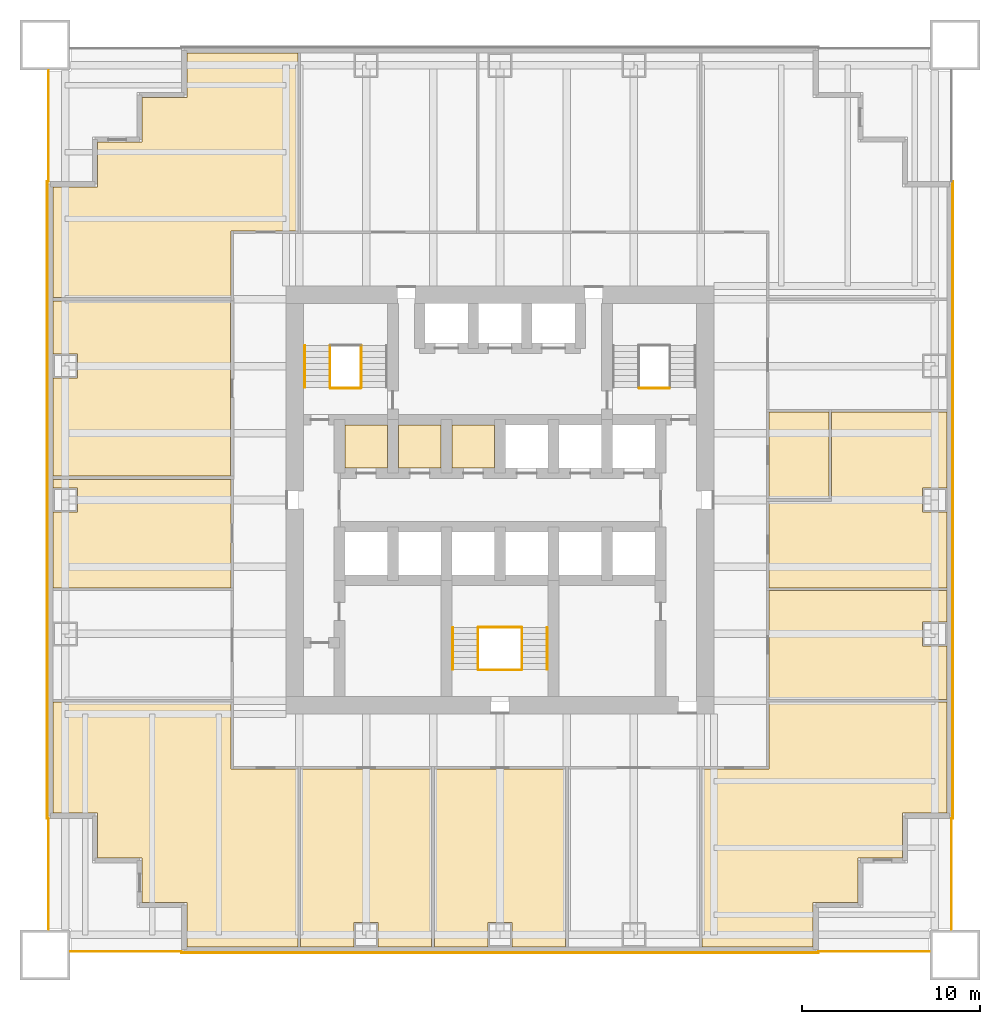
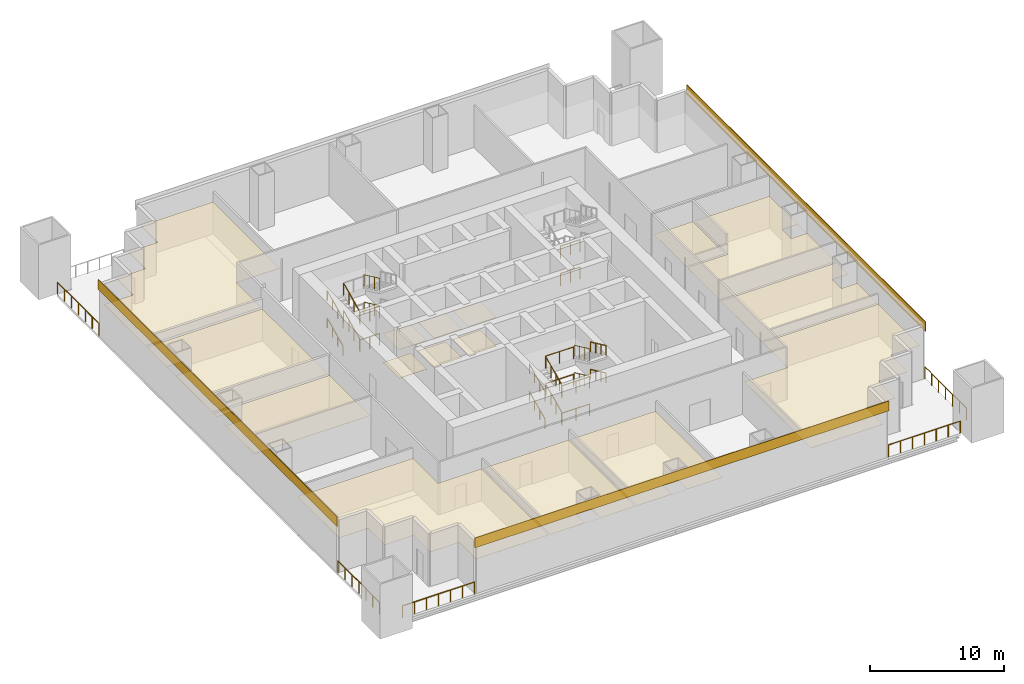
# One storey, part 5 of 6: 27 railings, 19 coverings.
"""IFC4 building model written with IfcOpenShell, lengths in metres."""

from ifc_helpers import new_model, si_unit, direction, frame, origin, origin_2d, place, context, subcontext, project, spatial, polyline, rectangle, circle, outline, extrude, material, layer, layer_set, type_object, element, save


model = new_model("IFC4")

# Units and contexts
model_context = context("Model", 3, precision=1e-05, world=origin(), true_north=direction((0.0, 1.0)))
body_context = subcontext(model_context, "Body", "Model", "MODEL_VIEW")
ifc_project = project(units=[si_unit("LENGTHUNIT", "METRE"), si_unit("AREAUNIT", "SQUARE_METRE"), si_unit("VOLUMEUNIT", "CUBIC_METRE"), si_unit("PLANEANGLEUNIT", "RADIAN"), si_unit("MASSUNIT", "GRAM", prefix="KILO")], contexts=[model_context])

# Site, building, storey
site_placement = place(None, origin())
site = spatial("IfcSite", under=ifc_project, at=site_placement, CompositionType="ELEMENT")
building_placement = place(site_placement, origin())
building = spatial("IfcBuilding", under=site, at=building_placement, Name="Tarangal Relay Tower", CompositionType="ELEMENT")
storey_placement = place(building_placement, frame((0.0, 0.0, 83.39990234375)))
storey = spatial("IfcBuildingStorey", under=building, at=storey_placement, Name="L16", CompositionType="ELEMENT", Elevation=83.39990234375)

# Coverings
ifc_material_1 = material(Name="Anti-static vinyl flooring", Category="plastic")
ifc_layer_1 = layer(ifc_material_1, 0.010009765625)
ifc_layer_set_1 = layer_set([ifc_layer_1], Name="Anti-static vinyl floor")
covering_type_1 = type_object("IfcCoveringType", Name="Anti-static vinyl floor", PredefinedType="FLOORING", material=ifc_layer_set_1)
covering_1_placement = place(storey_placement, origin())
element("IfcCovering", 1, at=covering_1_placement, inside=storey, type_object=covering_type_1, Name="Floor finish FL1 L16-D1", PredefinedType="FLOORING", context=body_context, shape_type="SweptSolid", body=[
    extrude(outline(polyline([(-8.699951171875, 1.800048828125), (-6.300048828125, 1.800048828125), (-6.300048828125, 4.199951171875), (-8.699951171875, 4.199951171875), (-8.699951171875, 1.800048828125)])), origin(), (0.0, 0.0, 1.0), 0.010009765625),
])
covering_2_placement = place(storey_placement, origin())
element("IfcCovering", 2, at=covering_2_placement, inside=storey, type_object=covering_type_1, Name="Floor finish FL1 L16-D2", PredefinedType="FLOORING", context=body_context, shape_type="SweptSolid", body=[
    extrude(outline(polyline([(-5.699951171875, 1.800048828125), (-3.300048828125, 1.800048828125), (-3.300048828125, 4.199951171875), (-5.699951171875, 4.199951171875), (-5.699951171875, 1.800048828125)])), origin(), (0.0, 0.0, 1.0), 0.010009765625),
])
covering_3_placement = place(storey_placement, origin())
element("IfcCovering", 3, at=covering_3_placement, inside=storey, type_object=covering_type_1, Name="Floor finish FL1 L16-D3", PredefinedType="FLOORING", context=body_context, shape_type="SweptSolid", body=[
    extrude(outline(polyline([(-2.699951171875, 1.800048828125), (-0.300048828125, 1.800048828125), (-0.300048828125, 4.199951171875), (-2.699951171875, 4.199951171875), (-2.699951171875, 1.800048828125)])), origin(), (0.0, 0.0, 1.0), 0.010009765625),
])
ifc_material_2 = material(Name="Black anodised aluminium cladding", Category="aluminium")
ifc_layer_2 = layer(ifc_material_2, 0.050048828125)
ifc_layer_set_2 = layer_set([ifc_layer_2], Name="Black metal spandrel band")
covering_type_2 = type_object("IfcCoveringType", Name="Black metal spandrel band", PredefinedType="CLADDING", material=ifc_layer_set_2)
for number, where, z_axis, x_axis, name in (
    (4, (25.375, 0.0, 4.250244140625), (0.0, 0.0, 1.0), (0.0, -1.0, 0.0), "Spandrel band SB1 E L16"),
    (5, (0.0, -25.375, 4.250244140625), (0.0, 0.0, 1.0), (-1.0, 0.0, 0.0), "Spandrel band SB1 S L16"),
    (6, (-25.375, 0.0, 4.250244140625), (0.0, 0.0, 1.0), (0.0, 1.0, 0.0), "Spandrel band SB1 W L16"),
):
    element("IfcCovering", number, at=place(storey_placement, frame(where, z_axis=z_axis, x_axis=x_axis)), inside=storey, type_object=covering_type_2, Name=name, PredefinedType="CLADDING", context=body_context, shape_type="SweptSolid", body=[
        extrude(rectangle(XDim=35.699951171875, YDim=0.050048828125, at=origin_2d()), origin(), (0.0, 0.0, 1.0), 0.89990234375),
    ])

# Railings
ifc_material_3 = material(Name="Steel guard, black finish", Category="steel")
railing_type_1 = type_object("IfcRailingType", Name="Stair guard 1100", PredefinedType="GUARDRAIL", material=ifc_material_3)
railing_1_placement = place(storey_placement, frame((-9.530029296875, 6.300048828125, 0.156494140625)))
element("IfcRailing", 7, at=railing_1_placement, inside=storey, type_object=railing_type_1, Name="Stair ST-A guard GR1 L16 flight 1", PredefinedType="GUARDRAIL", context=body_context, shape_type="SweptSolid", body=[
    extrude(circle(Radius=0.02392578125, at=origin_2d()), frame((0.0, 0.0, 1.076171875), z_axis=(0.0, 0.906303632821, 0.42262717037), x_axis=(-1.0, 0.0, 0.0)), (0.0, 0.0, 1.0), 2.58740234375),
    extrude(circle(Radius=0.02099609375, at=origin_2d()), origin(), (0.0, 0.0, 1.0), 1.052001953125),
    extrude(circle(Radius=0.02099609375, at=origin_2d()), frame((0.0, 0.78173828125, 0.364501953125)), (0.0, 0.0, 1.0), 1.052001953125),
    extrude(circle(Radius=0.02099609375, at=origin_2d()), frame((0.0, 1.563232421875, 0.72900390625)), (0.0, 0.0, 1.0), 1.052001953125),
    extrude(circle(Radius=0.02099609375, at=origin_2d()), frame((0.0, 2.344970703125, 1.093505859375)), (0.0, 0.0, 1.0), 1.052001953125),
])
railing_2_placement = place(storey_placement, frame((-7.77001953125, 8.64501953125, 1.406494140625)))
element("IfcRailing", 8, at=railing_2_placement, inside=storey, type_object=railing_type_1, Name="Stair ST-A guard GR1 L16 flight 2", PredefinedType="GUARDRAIL", context=body_context, shape_type="SweptSolid", body=[
    extrude(circle(Radius=0.02392578125, at=origin_2d()), frame((0.0, 0.0, 1.076171875), z_axis=(0.0, -0.906303632821, 0.42262717037), x_axis=(1.0, 0.0, 0.0)), (0.0, 0.0, 1.0), 2.58740234375),
    extrude(circle(Radius=0.02099609375, at=origin_2d()), origin(), (0.0, 0.0, 1.0), 1.052001953125),
    extrude(circle(Radius=0.02099609375, at=origin_2d()), frame((0.0, -0.78173828125, 0.364501953125)), (0.0, 0.0, 1.0), 1.052001953125),
    extrude(circle(Radius=0.02099609375, at=origin_2d()), frame((0.0, -1.563232421875, 0.72900390625)), (0.0, 0.0, 1.0), 1.052001953125),
    extrude(circle(Radius=0.02099609375, at=origin_2d()), frame((0.0, -2.344970703125, 1.093505859375)), (0.0, 0.0, 1.0), 1.052001953125),
])
railing_3_placement = place(storey_placement, frame((-9.530029296875, 6.300048828125, 2.656494140625)))
element("IfcRailing", 9, at=railing_3_placement, inside=storey, type_object=railing_type_1, Name="Stair ST-A guard GR1 L16 flight 3", PredefinedType="GUARDRAIL", context=body_context, shape_type="SweptSolid", body=[
    extrude(circle(Radius=0.02392578125, at=origin_2d()), frame((0.0, 0.0, 1.076171875), z_axis=(0.0, 0.906303632821, 0.42262717037), x_axis=(-1.0, 0.0, 0.0)), (0.0, 0.0, 1.0), 2.58740234375),
    extrude(circle(Radius=0.02099609375, at=origin_2d()), origin(), (0.0, 0.0, 1.0), 1.052001953125),
    extrude(circle(Radius=0.02099609375, at=origin_2d()), frame((0.0, 0.78173828125, 0.364501953125)), (0.0, 0.0, 1.0), 1.052001953125),
    extrude(circle(Radius=0.02099609375, at=origin_2d()), frame((0.0, 1.563232421875, 0.72900390625)), (0.0, 0.0, 1.0), 1.052001953125),
    extrude(circle(Radius=0.02099609375, at=origin_2d()), frame((0.0, 2.344970703125, 1.093505859375)), (0.0, 0.0, 1.0), 1.052001953125),
])
railing_4_placement = place(storey_placement, frame((-7.77001953125, 8.64501953125, 3.906494140625)))
element("IfcRailing", 10, at=railing_4_placement, inside=storey, type_object=railing_type_1, Name="Stair ST-A guard GR1 L16 flight 4", PredefinedType="GUARDRAIL", context=body_context, shape_type="SweptSolid", body=[
    extrude(circle(Radius=0.02392578125, at=origin_2d()), frame((0.0, 0.0, 1.076171875), z_axis=(0.0, -0.906303632821, 0.42262717037), x_axis=(1.0, 0.0, 0.0)), (0.0, 0.0, 1.0), 2.58740234375),
    extrude(circle(Radius=0.02099609375, at=origin_2d()), origin(), (0.0, 0.0, 1.0), 1.052001953125),
    extrude(circle(Radius=0.02099609375, at=origin_2d()), frame((0.0, -0.78173828125, 0.364501953125)), (0.0, 0.0, 1.0), 1.052001953125),
    extrude(circle(Radius=0.02099609375, at=origin_2d()), frame((0.0, -1.563232421875, 0.72900390625)), (0.0, 0.0, 1.0), 1.052001953125),
    extrude(circle(Radius=0.02099609375, at=origin_2d()), frame((0.0, -2.344970703125, 1.093505859375)), (0.0, 0.0, 1.0), 1.052001953125),
])
for number, where, name in (
    (11, (-9.5, 6.27001953125, 0.0), "Stair ST-A landing guard GR1 L16"),
    (12, (-9.5, 6.27001953125, 2.5), "Stair ST-A landing guard GR1 L16"),
    (13, (7.800048828125, 6.27001953125, 0.0), "Stair ST-B landing guard GR1 L16"),
    (14, (7.800048828125, 6.27001953125, 2.5), "Stair ST-B landing guard GR1 L16"),
):
    element("IfcRailing", number, at=place(storey_placement, frame(where)), inside=storey, type_object=railing_type_1, Name=name, PredefinedType="GUARDRAIL", context=body_context, shape_type="SweptSolid", body=[
        extrude(circle(Radius=0.02392578125, at=origin_2d()), frame((0.0, 0.0, 1.076171875), z_axis=(1.0, 0.0, 0.0), x_axis=(0.0, 1.0, 0.0)), (0.0, 0.0, 1.0), 1.699951171875),
        extrude(circle(Radius=0.02099609375, at=origin_2d()), origin(), (0.0, 0.0, 1.0), 1.052001953125),
        extrude(circle(Radius=0.02099609375, at=origin_2d()), frame((0.85009765625, 0.0, 0.0)), (0.0, 0.0, 1.0), 1.052001953125),
        extrude(circle(Radius=0.02099609375, at=origin_2d()), frame((1.699951171875, 0.0, 0.0)), (0.0, 0.0, 1.0), 1.052001953125),
    ])
railing_5_placement = place(storey_placement, frame((-1.22998046875, -9.5, 0.156494140625)))
element("IfcRailing", 15, at=railing_5_placement, inside=storey, type_object=railing_type_1, Name="Stair ST-C guard GR1 L16 flight 1", PredefinedType="GUARDRAIL", context=body_context, shape_type="SweptSolid", body=[
    extrude(circle(Radius=0.02392578125, at=origin_2d()), frame((0.0, 0.0, 1.076171875), z_axis=(0.0, 0.906303632821, 0.42262717037), x_axis=(-1.0, 0.0, 0.0)), (0.0, 0.0, 1.0), 2.58740234375),
    extrude(circle(Radius=0.02099609375, at=origin_2d()), origin(), (0.0, 0.0, 1.0), 1.052001953125),
    extrude(circle(Radius=0.02099609375, at=origin_2d()), frame((0.0, 0.78173828125, 0.364501953125)), (0.0, 0.0, 1.0), 1.052001953125),
    extrude(circle(Radius=0.02099609375, at=origin_2d()), frame((0.0, 1.563232421875, 0.72900390625)), (0.0, 0.0, 1.0), 1.052001953125),
    extrude(circle(Radius=0.02099609375, at=origin_2d()), frame((0.0, 2.344970703125, 1.093505859375)), (0.0, 0.0, 1.0), 1.052001953125),
])
railing_6_placement = place(storey_placement, frame((1.22998046875, -7.155029296875, 1.406494140625)))
element("IfcRailing", 16, at=railing_6_placement, inside=storey, type_object=railing_type_1, Name="Stair ST-C guard GR1 L16 flight 2", PredefinedType="GUARDRAIL", context=body_context, shape_type="SweptSolid", body=[
    extrude(circle(Radius=0.02392578125, at=origin_2d()), frame((0.0, 0.0, 1.076171875), z_axis=(0.0, -0.906303632821, 0.42262717037), x_axis=(1.0, 0.0, 0.0)), (0.0, 0.0, 1.0), 2.58740234375),
    extrude(circle(Radius=0.02099609375, at=origin_2d()), origin(), (0.0, 0.0, 1.0), 1.052001953125),
    extrude(circle(Radius=0.02099609375, at=origin_2d()), frame((0.0, -0.78173828125, 0.364501953125)), (0.0, 0.0, 1.0), 1.052001953125),
    extrude(circle(Radius=0.02099609375, at=origin_2d()), frame((0.0, -1.563232421875, 0.72900390625)), (0.0, 0.0, 1.0), 1.052001953125),
    extrude(circle(Radius=0.02099609375, at=origin_2d()), frame((0.0, -2.344970703125, 1.093505859375)), (0.0, 0.0, 1.0), 1.052001953125),
])
railing_7_placement = place(storey_placement, frame((-1.22998046875, -9.5, 2.656494140625)))
element("IfcRailing", 17, at=railing_7_placement, inside=storey, type_object=railing_type_1, Name="Stair ST-C guard GR1 L16 flight 3", PredefinedType="GUARDRAIL", context=body_context, shape_type="SweptSolid", body=[
    extrude(circle(Radius=0.02392578125, at=origin_2d()), frame((0.0, 0.0, 1.076171875), z_axis=(0.0, 0.906303632821, 0.42262717037), x_axis=(-1.0, 0.0, 0.0)), (0.0, 0.0, 1.0), 2.58740234375),
    extrude(circle(Radius=0.02099609375, at=origin_2d()), origin(), (0.0, 0.0, 1.0), 1.052001953125),
    extrude(circle(Radius=0.02099609375, at=origin_2d()), frame((0.0, 0.78173828125, 0.364501953125)), (0.0, 0.0, 1.0), 1.052001953125),
    extrude(circle(Radius=0.02099609375, at=origin_2d()), frame((0.0, 1.563232421875, 0.72900390625)), (0.0, 0.0, 1.0), 1.052001953125),
    extrude(circle(Radius=0.02099609375, at=origin_2d()), frame((0.0, 2.344970703125, 1.093505859375)), (0.0, 0.0, 1.0), 1.052001953125),
])
railing_8_placement = place(storey_placement, frame((1.22998046875, -7.155029296875, 3.906494140625)))
element("IfcRailing", 18, at=railing_8_placement, inside=storey, type_object=railing_type_1, Name="Stair ST-C guard GR1 L16 flight 4", PredefinedType="GUARDRAIL", context=body_context, shape_type="SweptSolid", body=[
    extrude(circle(Radius=0.02392578125, at=origin_2d()), frame((0.0, 0.0, 1.076171875), z_axis=(0.0, -0.906303632821, 0.42262717037), x_axis=(1.0, 0.0, 0.0)), (0.0, 0.0, 1.0), 2.58740234375),
    extrude(circle(Radius=0.02099609375, at=origin_2d()), origin(), (0.0, 0.0, 1.0), 1.052001953125),
    extrude(circle(Radius=0.02099609375, at=origin_2d()), frame((0.0, -0.78173828125, 0.364501953125)), (0.0, 0.0, 1.0), 1.052001953125),
    extrude(circle(Radius=0.02099609375, at=origin_2d()), frame((0.0, -1.563232421875, 0.72900390625)), (0.0, 0.0, 1.0), 1.052001953125),
    extrude(circle(Radius=0.02099609375, at=origin_2d()), frame((0.0, -2.344970703125, 1.093505859375)), (0.0, 0.0, 1.0), 1.052001953125),
])
for number, where, name in (
    (19, (-1.199951171875, -9.530029296875, 0.0), "Stair ST-C landing guard GR1 L16"),
    (20, (-1.199951171875, -7.125, 1.25), "Stair ST-C landing guard GR1 L16"),
    (21, (-1.199951171875, -9.530029296875, 2.5), "Stair ST-C landing guard GR1 L16"),
    (22, (-1.199951171875, -7.125, 3.75), "Stair ST-C landing guard GR1 L16"),
):
    element("IfcRailing", number, at=place(storey_placement, frame(where)), inside=storey, type_object=railing_type_1, Name=name, PredefinedType="GUARDRAIL", context=body_context, shape_type="SweptSolid", body=[
        extrude(circle(Radius=0.02392578125, at=origin_2d()), frame((0.0, 0.0, 1.076171875), z_axis=(1.0, 0.0, 0.0), x_axis=(0.0, 1.0, 0.0)), (0.0, 0.0, 1.0), 2.39990234375),
        extrude(circle(Radius=0.02099609375, at=origin_2d()), origin(), (0.0, 0.0, 1.0), 1.052001953125),
        extrude(circle(Radius=0.02099609375, at=origin_2d()), frame((1.199951171875, 0.0, 0.0)), (0.0, 0.0, 1.0), 1.052001953125),
        extrude(circle(Radius=0.02099609375, at=origin_2d()), frame((2.39990234375, 0.0, 0.0)), (0.0, 0.0, 1.0), 1.052001953125),
    ])
ifc_material_4 = material(Name="Steel handrail, black finish", Category="steel")
railing_type_2 = type_object("IfcRailingType", Name="Stair handrail 900", PredefinedType="HANDRAIL", material=ifc_material_4)
for number, where, name in (
    (23, (-10.93994140625, 6.300048828125, 0.156494140625), "Stair ST-A handrail HR1 L16 flight 1"),
    (24, (-10.93994140625, 6.300048828125, 2.656494140625), "Stair ST-A handrail HR1 L16 flight 3"),
    (25, (-2.639892578125, -9.5, 0.156494140625), "Stair ST-C handrail HR1 L16 flight 1"),
):
    element("IfcRailing", number, at=place(storey_placement, frame(where)), inside=storey, type_object=railing_type_2, Name=name, PredefinedType="HANDRAIL", context=body_context, shape_type="SweptSolid", body=[
        extrude(circle(Radius=0.02392578125, at=origin_2d()), frame((0.0, 0.0, 0.8759765625), z_axis=(0.0, 0.906303632821, 0.42262717037), x_axis=(-1.0, 0.0, 0.0)), (0.0, 0.0, 1.0), 2.58740234375),
        extrude(circle(Radius=0.02099609375, at=origin_2d()), origin(), (0.0, 0.0, 1.0), 0.851806640625),
        extrude(circle(Radius=0.02099609375, at=origin_2d()), frame((0.0, 0.78173828125, 0.364501953125)), (0.0, 0.0, 1.0), 0.851806640625),
        extrude(circle(Radius=0.02099609375, at=origin_2d()), frame((0.0, 1.563232421875, 0.72900390625)), (0.0, 0.0, 1.0), 0.851806640625),
        extrude(circle(Radius=0.02099609375, at=origin_2d()), frame((0.0, 2.344970703125, 1.093505859375)), (0.0, 0.0, 1.0), 0.851806640625),
    ])
railing_9_placement = place(storey_placement, frame((2.639892578125, -7.155029296875, 1.406494140625)))
element("IfcRailing", 26, at=railing_9_placement, inside=storey, type_object=railing_type_2, Name="Stair ST-C handrail HR1 L16 flight 2", PredefinedType="HANDRAIL", context=body_context, shape_type="SweptSolid", body=[
    extrude(circle(Radius=0.02392578125, at=origin_2d()), frame((0.0, 0.0, 0.8759765625), z_axis=(0.0, -0.906303632821, 0.42262717037), x_axis=(1.0, 0.0, 0.0)), (0.0, 0.0, 1.0), 2.58740234375),
    extrude(circle(Radius=0.02099609375, at=origin_2d()), origin(), (0.0, 0.0, 1.0), 0.851806640625),
    extrude(circle(Radius=0.02099609375, at=origin_2d()), frame((0.0, -0.78173828125, 0.364501953125)), (0.0, 0.0, 1.0), 0.851806640625),
    extrude(circle(Radius=0.02099609375, at=origin_2d()), frame((0.0, -1.563232421875, 0.72900390625)), (0.0, 0.0, 1.0), 0.851806640625),
    extrude(circle(Radius=0.02099609375, at=origin_2d()), frame((0.0, -2.344970703125, 1.093505859375)), (0.0, 0.0, 1.0), 0.851806640625),
])
railing_10_placement = place(storey_placement, frame((-2.639892578125, -9.5, 2.656494140625)))
element("IfcRailing", 27, at=railing_10_placement, inside=storey, type_object=railing_type_2, Name="Stair ST-C handrail HR1 L16 flight 3", PredefinedType="HANDRAIL", context=body_context, shape_type="SweptSolid", body=[
    extrude(circle(Radius=0.02392578125, at=origin_2d()), frame((0.0, 0.0, 0.8759765625), z_axis=(0.0, 0.906303632821, 0.42262717037), x_axis=(-1.0, 0.0, 0.0)), (0.0, 0.0, 1.0), 2.58740234375),
    extrude(circle(Radius=0.02099609375, at=origin_2d()), origin(), (0.0, 0.0, 1.0), 0.851806640625),
    extrude(circle(Radius=0.02099609375, at=origin_2d()), frame((0.0, 0.78173828125, 0.364501953125)), (0.0, 0.0, 1.0), 0.851806640625),
    extrude(circle(Radius=0.02099609375, at=origin_2d()), frame((0.0, 1.563232421875, 0.72900390625)), (0.0, 0.0, 1.0), 0.851806640625),
    extrude(circle(Radius=0.02099609375, at=origin_2d()), frame((0.0, 2.344970703125, 1.093505859375)), (0.0, 0.0, 1.0), 0.851806640625),
])
railing_11_placement = place(storey_placement, frame((2.639892578125, -7.155029296875, 3.906494140625)))
element("IfcRailing", 28, at=railing_11_placement, inside=storey, type_object=railing_type_2, Name="Stair ST-C handrail HR1 L16 flight 4", PredefinedType="HANDRAIL", context=body_context, shape_type="SweptSolid", body=[
    extrude(circle(Radius=0.02392578125, at=origin_2d()), frame((0.0, 0.0, 0.8759765625), z_axis=(0.0, -0.906303632821, 0.42262717037), x_axis=(1.0, 0.0, 0.0)), (0.0, 0.0, 1.0), 2.58740234375),
    extrude(circle(Radius=0.02099609375, at=origin_2d()), origin(), (0.0, 0.0, 1.0), 0.851806640625),
    extrude(circle(Radius=0.02099609375, at=origin_2d()), frame((0.0, -0.78173828125, 0.364501953125)), (0.0, 0.0, 1.0), 0.851806640625),
    extrude(circle(Radius=0.02099609375, at=origin_2d()), frame((0.0, -1.563232421875, 0.72900390625)), (0.0, 0.0, 1.0), 0.851806640625),
    extrude(circle(Radius=0.02099609375, at=origin_2d()), frame((0.0, -2.344970703125, 1.093505859375)), (0.0, 0.0, 1.0), 0.851806640625),
])

# Coverings
ifc_material_5 = material(Name="Mineral fibre ceiling tiles", Category="gypsum")
ifc_layer_3 = layer(ifc_material_5, 0.02001953125)
ifc_layer_set_3 = layer_set([ifc_layer_3], Name="Suspended ceiling")
covering_type_3 = type_object("IfcCoveringType", Name="Suspended ceiling", PredefinedType="CEILING", material=ifc_layer_set_3)
covering_4_placement = place(storey_placement, frame((0.0, 0.0, 2.60009765625)))
element("IfcCovering", 29, at=covering_4_placement, inside=storey, type_object=covering_type_3, Name="Suspended ceiling CL1 L16-D1", PredefinedType="CEILING", context=body_context, shape_type="SweptSolid", body=[
    extrude(outline(polyline([(-8.699951171875, 1.800048828125), (-6.300048828125, 1.800048828125), (-6.300048828125, 4.199951171875), (-8.699951171875, 4.199951171875), (-8.699951171875, 1.800048828125)])), origin(), (0.0, 0.0, 1.0), 0.02001953125),
])
covering_5_placement = place(storey_placement, frame((0.0, 0.0, 2.60009765625)))
element("IfcCovering", 30, at=covering_5_placement, inside=storey, type_object=covering_type_3, Name="Suspended ceiling CL1 L16-D2", PredefinedType="CEILING", context=body_context, shape_type="SweptSolid", body=[
    extrude(outline(polyline([(-5.699951171875, 1.800048828125), (-3.300048828125, 1.800048828125), (-3.300048828125, 4.199951171875), (-5.699951171875, 4.199951171875), (-5.699951171875, 1.800048828125)])), origin(), (0.0, 0.0, 1.0), 0.02001953125),
])
covering_6_placement = place(storey_placement, frame((0.0, 0.0, 2.60009765625)))
element("IfcCovering", 31, at=covering_6_placement, inside=storey, type_object=covering_type_3, Name="Suspended ceiling CL1 L16-D3", PredefinedType="CEILING", context=body_context, shape_type="SweptSolid", body=[
    extrude(outline(polyline([(-2.699951171875, 1.800048828125), (-0.300048828125, 1.800048828125), (-0.300048828125, 4.199951171875), (-2.699951171875, 4.199951171875), (-2.699951171875, 1.800048828125)])), origin(), (0.0, 0.0, 1.0), 0.02001953125),
])
covering_7_placement = place(storey_placement, frame((0.0, 0.0, 2.900146484375)))
element("IfcCovering", 32, at=covering_7_placement, inside=storey, type_object=covering_type_3, Name="Suspended ceiling CL1 L16-05", PredefinedType="CEILING", context=body_context, shape_type="SweptSolid", body=[
    extrude(outline(polyline([(18.425048828125, 4.925048828125), (15.074951171875, 4.925048828125), (15.074951171875, 0.074951171875), (18.425048828125, 0.074951171875), (18.425048828125, 4.925048828125)])), origin(), (0.0, 0.0, 1.0), 0.02001953125),
])
covering_8_placement = place(storey_placement, frame((0.0, 0.0, 2.900146484375)))
element("IfcCovering", 33, at=covering_8_placement, inside=storey, type_object=covering_type_3, Name="Suspended ceiling CL1 L16-06", PredefinedType="CEILING", context=body_context, shape_type="SweptSolid", body=[
    extrude(outline(polyline([(25.050048828125, -4.925048828125), (25.050048828125, 4.925048828125), (18.574951171875, 4.925048828125), (18.574951171875, -0.074951171875), (15.074951171875, -0.074951171875), (15.074951171875, -4.925048828125), (25.050048828125, -4.925048828125)]), holes=[polyline([(25.0400390625, 0.675048828125), (23.68994140625, 0.675048828125), (23.68994140625, -0.675048828125), (25.0400390625, -0.675048828125), (25.0400390625, 0.675048828125)])]), origin(), (0.0, 0.0, 1.0), 0.02001953125),
])
covering_9_placement = place(storey_placement, frame((0.0, 0.0, 2.900146484375)))
element("IfcCovering", 34, at=covering_9_placement, inside=storey, type_object=covering_type_3, Name="Suspended ceiling CL1 L16-07", PredefinedType="CEILING", context=body_context, shape_type="SweptSolid", body=[
    extrude(outline(polyline([(25.050048828125, -11.175048828125), (25.050048828125, -5.074951171875), (15.074951171875, -5.074951171875), (15.074951171875, -11.175048828125), (25.050048828125, -11.175048828125)]), holes=[polyline([(25.0400390625, -6.824951171875), (23.68994140625, -6.824951171875), (23.68994140625, -8.175048828125), (25.0400390625, -8.175048828125), (25.0400390625, -6.824951171875)])]), origin(), (0.0, 0.0, 1.0), 0.02001953125),
])
covering_10_placement = place(storey_placement, frame((0.0, 0.0, 2.900146484375)))
element("IfcCovering", 35, at=covering_10_placement, inside=storey, type_object=covering_type_3, Name="Suspended ceiling CL1 L16-09", PredefinedType="CEILING", context=body_context, shape_type="SweptSolid", body=[
    extrude(outline(polyline([(-3.675048828125, -25.050048828125), (3.675048828125, -25.050048828125), (3.675048828125, -15.074951171875), (-3.675048828125, -15.074951171875), (-3.675048828125, -25.050048828125)]), holes=[polyline([(0.675048828125, -23.68994140625), (-0.675048828125, -23.68994140625), (-0.675048828125, -25.0400390625), (0.675048828125, -25.0400390625), (0.675048828125, -23.68994140625)])]), origin(), (0.0, 0.0, 1.0), 0.02001953125),
])
covering_11_placement = place(storey_placement, frame((0.0, 0.0, 2.900146484375)))
element("IfcCovering", 36, at=covering_11_placement, inside=storey, type_object=covering_type_3, Name="Suspended ceiling CL1 L16-10", PredefinedType="CEILING", context=body_context, shape_type="SweptSolid", body=[
    extrude(outline(polyline([(-11.175048828125, -25.050048828125), (-3.824951171875, -25.050048828125), (-3.824951171875, -15.074951171875), (-11.175048828125, -15.074951171875), (-11.175048828125, -25.050048828125)]), holes=[polyline([(-6.824951171875, -23.68994140625), (-8.175048828125, -23.68994140625), (-8.175048828125, -25.0400390625), (-6.824951171875, -25.0400390625), (-6.824951171875, -23.68994140625)])]), origin(), (0.0, 0.0, 1.0), 0.02001953125),
])
covering_12_placement = place(storey_placement, frame((0.0, 0.0, 2.900146484375)))
element("IfcCovering", 37, at=covering_12_placement, inside=storey, type_object=covering_type_3, Name="Suspended ceiling CL1 L16-12", PredefinedType="CEILING", context=body_context, shape_type="SweptSolid", body=[
    extrude(outline(polyline([(-25.050048828125, -4.925048828125), (-15.074951171875, -4.925048828125), (-15.074951171875, 1.14990234375), (-25.050048828125, 1.14990234375), (-25.050048828125, -4.925048828125)]), holes=[polyline([(-23.68994140625, 0.675048828125), (-25.0400390625, 0.675048828125), (-25.0400390625, -0.675048828125), (-23.68994140625, -0.675048828125), (-23.68994140625, 0.675048828125)])]), origin(), (0.0, 0.0, 1.0), 0.02001953125),
])
covering_13_placement = place(storey_placement, frame((0.0, 0.0, 2.900146484375)))
element("IfcCovering", 38, at=covering_13_placement, inside=storey, type_object=covering_type_3, Name="Suspended ceiling CL1 L16-13", PredefinedType="CEILING", context=body_context, shape_type="SweptSolid", body=[
    extrude(outline(polyline([(-25.050048828125, 11.14990234375), (-25.050048828125, 1.35009765625), (-15.10009765625, 1.35009765625), (-15.10009765625, 11.14990234375), (-25.050048828125, 11.14990234375)]), holes=[polyline([(-23.68994140625, 8.175048828125), (-25.0400390625, 8.175048828125), (-25.0400390625, 6.824951171875), (-23.68994140625, 6.824951171875), (-23.68994140625, 8.175048828125)])]), origin(), (0.0, 0.0, 1.0), 0.02001953125),
])
covering_14_placement = place(storey_placement, frame((0.0, 0.0, 2.900146484375)))
element("IfcCovering", 39, at=covering_14_placement, inside=storey, type_object=covering_type_3, Name="Suspended ceiling CL1 L16-15", PredefinedType="CEILING", context=body_context, shape_type="SweptSolid", body=[
    extrude(outline(polyline([(25.050048828125, -17.550048828125), (25.050048828125, -11.324951171875), (15.074951171875, -11.324951171875), (15.074951171875, -15.074951171875), (11.324951171875, -15.074951171875), (11.324951171875, -25.050048828125), (17.550048828125, -25.050048828125), (17.550048828125, -22.550048828125), (20.050048828125, -22.550048828125), (20.050048828125, -20.050048828125), (22.550048828125, -20.050048828125), (22.550048828125, -17.550048828125), (25.050048828125, -17.550048828125)])), origin(), (0.0, 0.0, 1.0), 0.02001953125),
])
covering_15_placement = place(storey_placement, frame((0.0, 0.0, 2.900146484375)))
element("IfcCovering", 40, at=covering_15_placement, inside=storey, type_object=covering_type_3, Name="Suspended ceiling CL1 L16-16", PredefinedType="CEILING", context=body_context, shape_type="SweptSolid", body=[
    extrude(outline(polyline([(-17.550048828125, -22.550048828125), (-17.550048828125, -25.050048828125), (-11.324951171875, -25.050048828125), (-11.324951171875, -15.074951171875), (-15.074951171875, -15.074951171875), (-15.074951171875, -11.324951171875), (-25.050048828125, -11.324951171875), (-25.050048828125, -17.550048828125), (-22.550048828125, -17.550048828125), (-22.550048828125, -20.050048828125), (-20.050048828125, -20.050048828125), (-20.050048828125, -22.550048828125), (-17.550048828125, -22.550048828125)])), origin(), (0.0, 0.0, 1.0), 0.02001953125),
])
covering_16_placement = place(storey_placement, frame((0.0, 0.0, 2.900146484375)))
element("IfcCovering", 41, at=covering_16_placement, inside=storey, type_object=covering_type_3, Name="Suspended ceiling CL1 L16-17", PredefinedType="CEILING", context=body_context, shape_type="SweptSolid", body=[
    extrude(outline(polyline([(-22.550048828125, 17.550048828125), (-25.050048828125, 17.550048828125), (-25.050048828125, 11.35009765625), (-15.074951171875, 11.35009765625), (-15.074951171875, 15.074951171875), (-11.324951171875, 15.074951171875), (-11.324951171875, 25.050048828125), (-17.550048828125, 25.050048828125), (-17.550048828125, 22.550048828125), (-20.050048828125, 22.550048828125), (-20.050048828125, 20.050048828125), (-22.550048828125, 20.050048828125), (-22.550048828125, 17.550048828125)])), origin(), (0.0, 0.0, 1.0), 0.02001953125),
])

# Railings
ifc_material_6 = material(Name="Black steel guard with glass infill", Category="steel")
railing_type_3 = type_object("IfcRailingType", Name="Terrace guard 1100", PredefinedType="GUARDRAIL", material=ifc_material_6)
railing_12_placement = place(storey_placement, frame((25.300048828125, -17.85009765625, 0.0)))
element("IfcRailing", 42, at=railing_12_placement, inside=storey, type_object=railing_type_3, Name="Terrace guard GR2 SE L16", PredefinedType="GUARDRAIL", context=body_context, shape_type="SweptSolid", body=[
    extrude(circle(Radius=0.02392578125, at=origin_2d()), frame((0.0, 0.0, 1.076171875), z_axis=(0.0, -1.0, 0.0), x_axis=(1.0, 0.0, 0.0)), (0.0, 0.0, 1.0), 6.199951171875),
    extrude(circle(Radius=0.02099609375, at=origin_2d()), origin(), (0.0, 0.0, 1.0), 1.052001953125),
    extrude(circle(Radius=0.02099609375, at=origin_2d()), frame((0.0, -1.033203125, 0.0)), (0.0, 0.0, 1.0), 1.052001953125),
    extrude(circle(Radius=0.02099609375, at=origin_2d()), frame((0.0, -2.066650390625, 0.0)), (0.0, 0.0, 1.0), 1.052001953125),
    extrude(circle(Radius=0.02099609375, at=origin_2d()), frame((0.0, -3.10009765625, 0.0)), (0.0, 0.0, 1.0), 1.052001953125),
    extrude(circle(Radius=0.02099609375, at=origin_2d()), frame((0.0, -4.13330078125, 0.0)), (0.0, 0.0, 1.0), 1.052001953125),
    extrude(circle(Radius=0.02099609375, at=origin_2d()), frame((0.0, -5.16650390625, 0.0)), (0.0, 0.0, 1.0), 1.052001953125),
    extrude(circle(Radius=0.02099609375, at=origin_2d()), frame((0.0, -6.199951171875, 0.0)), (0.0, 0.0, 1.0), 1.052001953125),
])
for number, where, name in (
    (43, (24.050048828125, -25.300048828125, 0.0), "Terrace guard GR2 SE L16"),
    (44, (-17.85009765625, -25.300048828125, 0.0), "Terrace guard GR2 SW L16"),
):
    element("IfcRailing", number, at=place(storey_placement, frame(where)), inside=storey, type_object=railing_type_3, Name=name, PredefinedType="GUARDRAIL", context=body_context, shape_type="SweptSolid", body=[
        extrude(circle(Radius=0.02392578125, at=origin_2d()), frame((0.0, 0.0, 1.076171875), z_axis=(-1.0, 0.0, 0.0), x_axis=(0.0, -1.0, 0.0)), (0.0, 0.0, 1.0), 6.199951171875),
        extrude(circle(Radius=0.02099609375, at=origin_2d()), origin(), (0.0, 0.0, 1.0), 1.052001953125),
        extrude(circle(Radius=0.02099609375, at=origin_2d()), frame((-1.033203125, 0.0, 0.0)), (0.0, 0.0, 1.0), 1.052001953125),
        extrude(circle(Radius=0.02099609375, at=origin_2d()), frame((-2.066650390625, 0.0, 0.0)), (0.0, 0.0, 1.0), 1.052001953125),
        extrude(circle(Radius=0.02099609375, at=origin_2d()), frame((-3.10009765625, 0.0, 0.0)), (0.0, 0.0, 1.0), 1.052001953125),
        extrude(circle(Radius=0.02099609375, at=origin_2d()), frame((-4.13330078125, 0.0, 0.0)), (0.0, 0.0, 1.0), 1.052001953125),
        extrude(circle(Radius=0.02099609375, at=origin_2d()), frame((-5.16650390625, 0.0, 0.0)), (0.0, 0.0, 1.0), 1.052001953125),
        extrude(circle(Radius=0.02099609375, at=origin_2d()), frame((-6.199951171875, 0.0, 0.0)), (0.0, 0.0, 1.0), 1.052001953125),
    ])
for number, where, name in (
    (45, (-25.300048828125, -24.050048828125, 0.0), "Terrace guard GR2 SW L16"),
    (46, (-25.300048828125, 17.85009765625, 0.0), "Terrace guard GR2 NW L16"),
):
    element("IfcRailing", number, at=place(storey_placement, frame(where)), inside=storey, type_object=railing_type_3, Name=name, PredefinedType="GUARDRAIL", context=body_context, shape_type="SweptSolid", body=[
        extrude(circle(Radius=0.02392578125, at=origin_2d()), frame((0.0, 0.0, 1.076171875), z_axis=(0.0, 1.0, 0.0), x_axis=(-1.0, 0.0, 0.0)), (0.0, 0.0, 1.0), 6.199951171875),
        extrude(circle(Radius=0.02099609375, at=origin_2d()), origin(), (0.0, 0.0, 1.0), 1.052001953125),
        extrude(circle(Radius=0.02099609375, at=origin_2d()), frame((0.0, 1.033203125, 0.0)), (0.0, 0.0, 1.0), 1.052001953125),
        extrude(circle(Radius=0.02099609375, at=origin_2d()), frame((0.0, 2.066650390625, 0.0)), (0.0, 0.0, 1.0), 1.052001953125),
        extrude(circle(Radius=0.02099609375, at=origin_2d()), frame((0.0, 3.10009765625, 0.0)), (0.0, 0.0, 1.0), 1.052001953125),
        extrude(circle(Radius=0.02099609375, at=origin_2d()), frame((0.0, 4.13330078125, 0.0)), (0.0, 0.0, 1.0), 1.052001953125),
        extrude(circle(Radius=0.02099609375, at=origin_2d()), frame((0.0, 5.16650390625, 0.0)), (0.0, 0.0, 1.0), 1.052001953125),
        extrude(circle(Radius=0.02099609375, at=origin_2d()), frame((0.0, 6.199951171875, 0.0)), (0.0, 0.0, 1.0), 1.052001953125),
    ])

save(model, "model.ifc")
